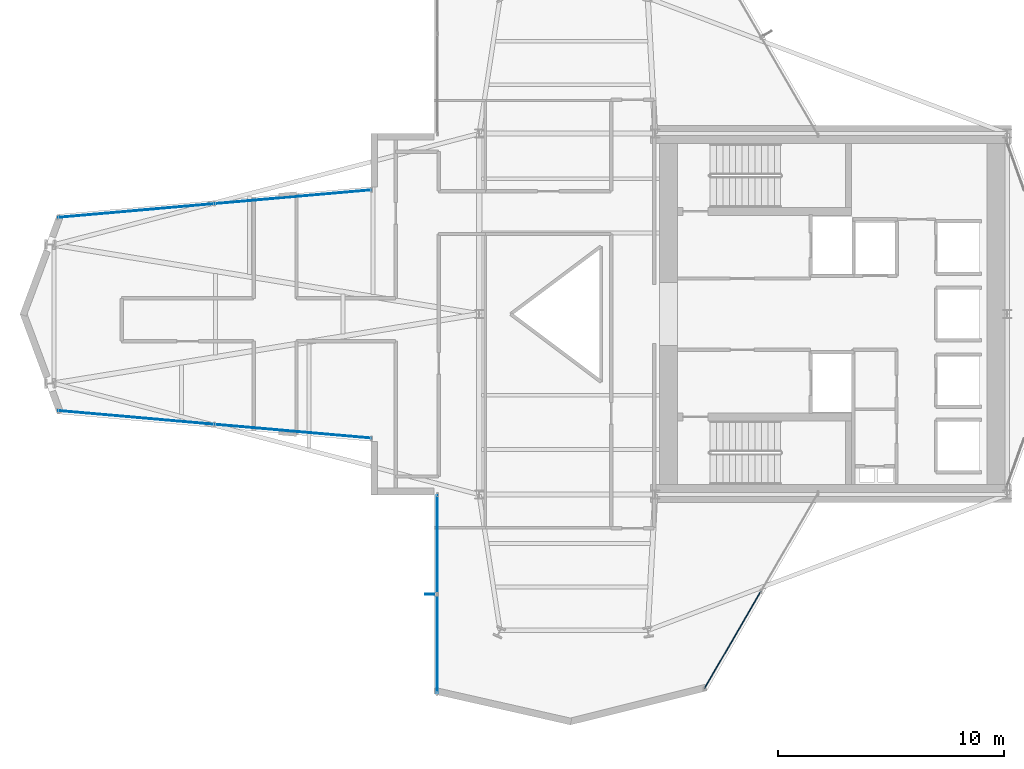
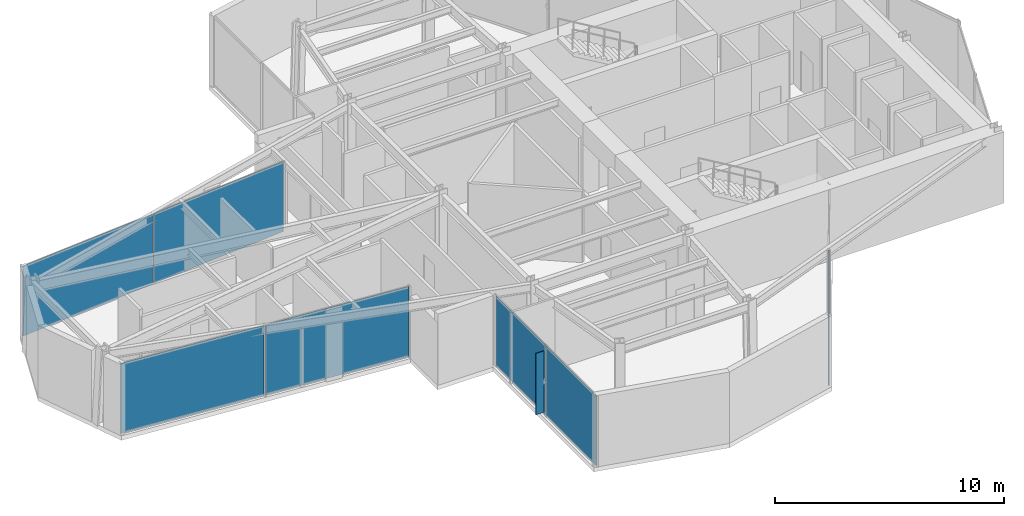
# One storey, part 19 of 25: 8 plates, 4 elements without a shape of their own.
"""IFC4 building model written with IfcOpenShell, lengths in metres."""

from ifc_helpers import new_model, si_unit, direction, frame, origin, origin_2d, place, context, subcontext, project, spatial, rectangle, extrude, material, layer, layer_set, type_object, element, aggregate, save


model = new_model("IFC4")

# Units and contexts
model_context = context("Model", 3, precision=1e-05, world=origin(), true_north=direction((0.0, 1.0)))
body_context = subcontext(model_context, "Body", "Model", "MODEL_VIEW")
ifc_project = project(units=[si_unit("LENGTHUNIT", "METRE"), si_unit("AREAUNIT", "SQUARE_METRE"), si_unit("VOLUMEUNIT", "CUBIC_METRE"), si_unit("PLANEANGLEUNIT", "RADIAN"), si_unit("MASSUNIT", "GRAM", prefix="KILO")], contexts=[model_context])

# Site, building, storey
site_placement = place(None, origin())
site = spatial("IfcSite", under=ifc_project, at=site_placement, CompositionType="ELEMENT")
building_placement = place(site_placement, origin())
building = spatial("IfcBuilding", under=site, at=building_placement, Name="Veymaron Broadcast Tower", CompositionType="ELEMENT")
storey_placement = place(building_placement, frame((0.0, 0.0, 173.550048828125)))
storey = spatial("IfcBuildingStorey", under=building, at=storey_placement, Name="L40", CompositionType="ELEMENT", Elevation=173.550048828125)

# Curtain wall, plates
ifc_material_1 = material(Name="Anodised aluminium AA 6063-T6 and laminated low-E dark glass", Category="aluminium")
ifc_layer_1 = layer(ifc_material_1, 0.179931640625)
ifc_layer_set_1 = layer_set([ifc_layer_1], Name="Anodised aluminium AA 6063-T6 and laminated low-E dark glass")
curtain_wall_type = type_object("IfcCurtainWallType", Name="CW-SYS-03", PredefinedType="NOTDEFINED", material=ifc_layer_set_1)
curtain_wall_1_placement = place(storey_placement, origin())
curtain_wall_1 = element("IfcCurtainWall", 1, at=curtain_wall_1_placement, inside=storey, type_object=curtain_wall_type, Name="L40 dark-glass curtain wall CW-L40-E11-1", PredefinedType="NOTDEFINED")
ifc_material_2 = material(Name="Insulated dark-anodised aluminium spandrel panel 40 mm", Category="aluminium")
ifc_layer_2 = layer(ifc_material_2, 0.0400390625)
ifc_layer_set_2 = layer_set([ifc_layer_2], Name="Insulated dark-anodised aluminium spandrel panel 40 mm")
plate_type_1 = type_object("IfcPlateType", Name="CW-PNL-03", PredefinedType="CURTAIN_PANEL", material=ifc_layer_set_2)
plate_1_placement = place(storey_placement, frame((22.943115234375, 29.194580078125, 0.0400390625), z_axis=(0.0, 0.0, 1.0), x_axis=(-0.996174897439, -0.087381769909, 0.0)))
plate_1 = element("IfcPlate", 2, at=plate_1_placement, type_object=plate_type_1, Name="CW-L40-E11-1 unitised curtain panel 0", PredefinedType="CURTAIN_PANEL", context=body_context, shape_type="SweptSolid", body=[
    extrude(rectangle(XDim=6.920654296875, YDim=0.0400390625, at=origin_2d()), origin(), (0.0, 0.0, 1.0), 3.72998046875),
])
plate_2_placement = place(storey_placement, frame((15.9892578125, 28.58447265625, 0.0400390625), z_axis=(0.0, 0.0, 1.0), x_axis=(-0.996174897439, -0.087381769909, 0.0)))
plate_2 = element("IfcPlate", 3, at=plate_2_placement, type_object=plate_type_1, Name="CW-L40-E11-1 unitised curtain panel 1", PredefinedType="CURTAIN_PANEL", context=body_context, shape_type="SweptSolid", body=[
    extrude(rectangle(XDim=6.920654296875, YDim=0.0400390625, at=origin_2d()), origin(), (0.0, 0.0, 1.0), 3.72998046875),
])
aggregate(curtain_wall_1, [plate_1, plate_2])

curtain_wall_2_placement = place(storey_placement, origin())
curtain_wall_2 = element("IfcCurtainWall", 4, at=curtain_wall_2_placement, inside=storey, type_object=curtain_wall_type, Name="L40 dark-glass curtain wall CW-L40-E14-1", PredefinedType="NOTDEFINED")
plate_3_placement = place(storey_placement, frame((15.9892578125, 19.41552734375, 0.0400390625), z_axis=(0.0, 0.0, 1.0), x_axis=(0.996174897439, -0.087381769909, 0.0)))
plate_3 = element("IfcPlate", 5, at=plate_3_placement, type_object=plate_type_1, Name="CW-L40-E14-1 unitised curtain panel 0", PredefinedType="CURTAIN_PANEL", context=body_context, shape_type="SweptSolid", body=[
    extrude(rectangle(XDim=6.920654296875, YDim=0.0400390625, at=origin_2d()), origin(), (0.0, 0.0, 1.0), 3.72998046875),
])
plate_4_placement = place(storey_placement, frame((22.943115234375, 18.805419921875, 0.0400390625), z_axis=(0.0, 0.0, 1.0), x_axis=(0.996174897439, -0.087381769909, 0.0)))
plate_4 = element("IfcPlate", 6, at=plate_4_placement, type_object=plate_type_1, Name="CW-L40-E14-1 unitised curtain panel 1", PredefinedType="CURTAIN_PANEL", context=body_context, shape_type="SweptSolid", body=[
    extrude(rectangle(XDim=6.920654296875, YDim=0.0400390625, at=origin_2d()), origin(), (0.0, 0.0, 1.0), 3.72998046875),
])
aggregate(curtain_wall_2, [plate_3, plate_4])

curtain_wall_3_placement = place(storey_placement, origin())
curtain_wall_3 = element("IfcCurtainWall", 7, at=curtain_wall_3_placement, inside=storey, type_object=curtain_wall_type, Name="L40 dark-glass curtain wall CW-L40-E17-1", PredefinedType="NOTDEFINED")
plate_5_placement = place(storey_placement, frame((29.343505859375, 13.7919921875, 0.0400390625), z_axis=(0.0, 0.0, 1.0), x_axis=(-0.001448622772, -0.999998950745, 0.0)))
plate_5 = element("IfcPlate", 8, at=plate_5_placement, type_object=plate_type_1, Name="CW-L40-E17-1 unitised curtain panel 0", PredefinedType="CURTAIN_PANEL", context=body_context, shape_type="SweptSolid", body=[
    extrude(rectangle(XDim=4.35546875, YDim=0.0400390625, at=origin_2d()), origin(), (0.0, 0.0, 1.0), 3.72998046875),
])
plate_6_placement = place(storey_placement, frame((29.337158203125, 9.376708984375, 0.0400390625), z_axis=(0.0, 0.0, 1.0), x_axis=(-0.001448622772, -0.999998950745, 0.0)))
plate_6 = element("IfcPlate", 9, at=plate_6_placement, type_object=plate_type_1, Name="CW-L40-E17-1 unitised curtain panel 1", PredefinedType="CURTAIN_PANEL", context=body_context, shape_type="SweptSolid", body=[
    extrude(rectangle(XDim=4.35546875, YDim=0.0400390625, at=origin_2d()), origin(), (0.0, 0.0, 1.0), 3.72998046875),
])
aggregate(curtain_wall_3, [plate_5, plate_6])

# Curtain wall, plate
curtain_wall_4_placement = place(storey_placement, origin())
curtain_wall_4 = element("IfcCurtainWall", 10, at=curtain_wall_4_placement, inside=storey, type_object=curtain_wall_type, Name="L40 dark-glass curtain wall CW-L40-E20-1", PredefinedType="NOTDEFINED")
plate_7_placement = place(storey_placement, frame((42.4287109375, 9.5498046875, 0.0400390625), z_axis=(0.0, 0.0, 1.0), x_axis=(0.502084416969, 0.864818615801, 0.0)))
plate_7 = element("IfcPlate", 11, at=plate_7_placement, type_object=plate_type_1, Name="CW-L40-E20-1 unitised curtain panel 0", PredefinedType="CURTAIN_PANEL", context=body_context, shape_type="SweptSolid", body=[
    extrude(rectangle(XDim=4.966552734375, YDim=0.0400390625, at=origin_2d()), origin(), (0.0, 0.0, 1.0), 3.72998046875),
])
aggregate(curtain_wall_4, [plate_7])

# Plate
ifc_material_3 = material(Name="Dark-anodised aluminium AA 6061-T6", Category="aluminium")
ifc_layer_3 = layer(ifc_material_3, 0.031982421875)
ifc_layer_set_3 = layer_set([ifc_layer_3], Name="Dark-anodised aluminium AA 6061-T6")
plate_type_2 = type_object("IfcPlateType", Name="FIN-CHEV-03", PredefinedType="USERDEFINED", material=ifc_layer_set_3)
plate_8_placement = place(storey_placement, frame((29.010498046875, 11.584716796875, 0.2666015625), z_axis=(0.0, 0.0, 1.0), x_axis=(-0.999998950745, 0.001448622772, 0.0)))
element("IfcPlate", 12, at=plate_8_placement, inside=storey, type_object=plate_type_2, Name="CW-L40-E17-1 chevron fin 1", ObjectType="FIN", PredefinedType="USERDEFINED", context=body_context, shape_type="SweptSolid", body=[
    extrude(rectangle(XDim=0.39990234375, YDim=0.034912109375, at=origin_2d()), origin(), (0.0, 0.0, 1.0), 3.276611328125),
])

save(model, "model.ifc")
